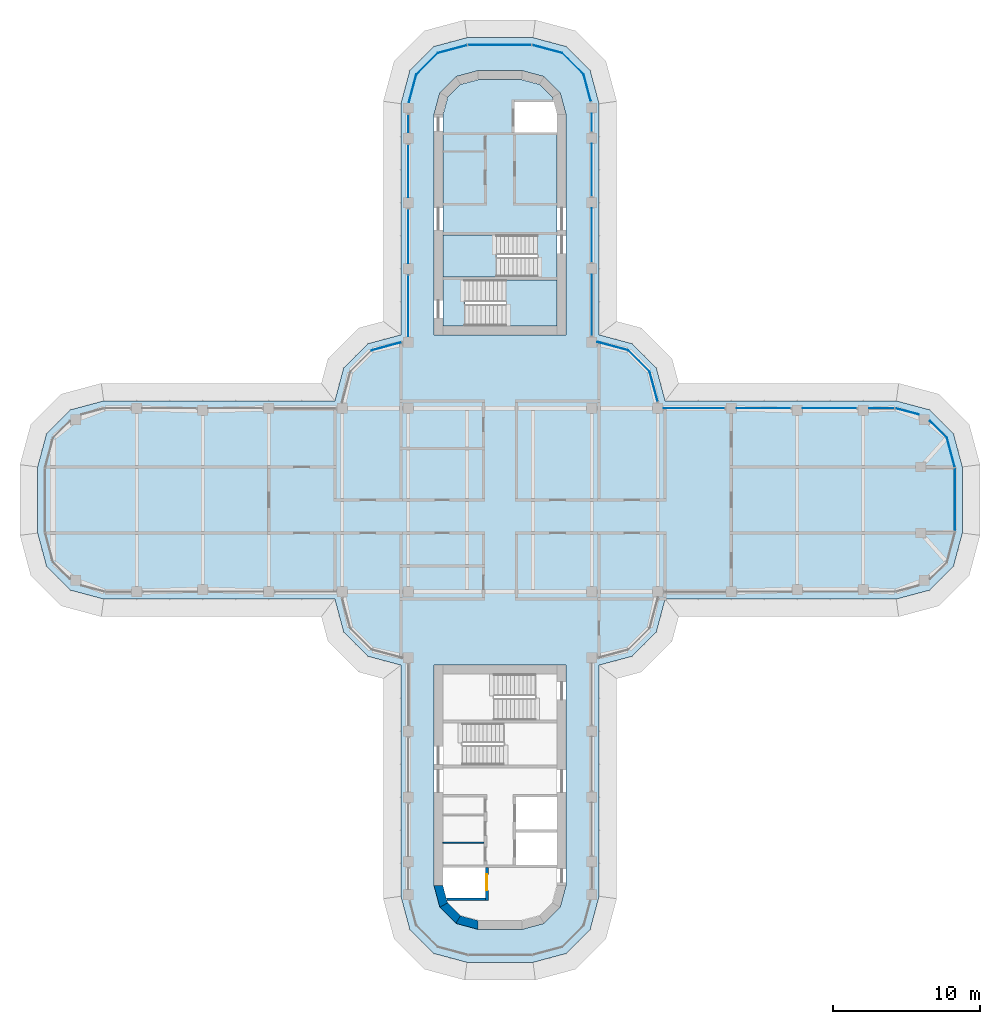
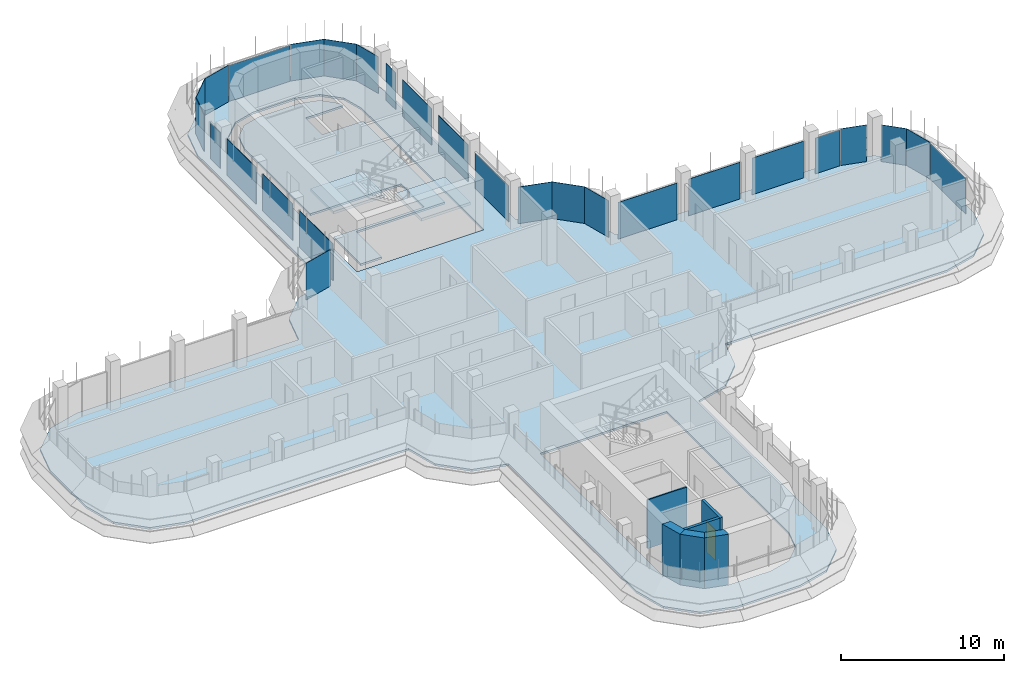
# One storey, part 12 of 19: 27 plates, 6 walls, 4 slabs, 1 door, 1 opening, 20 elements without a shape of their own.
"""IFC4 building model written with IfcOpenShell, lengths in metres."""

from ifc_helpers import new_model, si_unit, direction, frame, frame_2d, origin, place, context, subcontext, project, spatial, polyline, rectangle, outline, extrude, source, transform, mapped, material, layer, layer_set, type_object, element, fill, aggregate, save


model = new_model("IFC4")

# Units and contexts
model_context = context("Model", 3, precision=1e-05, world=origin(), true_north=direction((0.0, 1.0)))
body_context = subcontext(model_context, "Body", "Model", "MODEL_VIEW")
ifc_project = project(units=[si_unit("LENGTHUNIT", "METRE"), si_unit("AREAUNIT", "SQUARE_METRE"), si_unit("VOLUMEUNIT", "CUBIC_METRE"), si_unit("PLANEANGLEUNIT", "RADIAN"), si_unit("MASSUNIT", "GRAM", prefix="KILO")], contexts=[model_context])

# Site, building, storey
site_placement = place(None, origin())
site = spatial("IfcSite", under=ifc_project, at=site_placement, CompositionType="ELEMENT")
building_placement = place(site_placement, origin())
building = spatial("IfcBuilding", under=site, at=building_placement, Name="Zarbagh Exchange Tower", CompositionType="ELEMENT")
storey_placement = place(building_placement, frame((0.0, 0.0, 195.39990234375)))
storey = spatial("IfcBuildingStorey", under=building, at=storey_placement, Name="L47", CompositionType="ELEMENT", Elevation=195.39990234375)

# Slabs
ifc_material_1 = material(Name="Concrete C40/50", Category="concrete")
ifc_layer_1 = layer(ifc_material_1, 0.14990234375)
ifc_layer_set_1 = layer_set([ifc_layer_1], Name="Composite floor slab 150 C40/50")
slab_type_1 = type_object("IfcSlabType", Name="Composite floor slab 150 C40/50", PredefinedType="FLOOR", material=ifc_layer_set_1)
slab_1_placement = place(storey_placement, frame((0.0, 0.0, -0.14990234375)))
element("IfcSlab", 1, at=slab_1_placement, inside=storey, type_object=slab_type_1, Name="S5 composite floor slab", PredefinedType="FLOOR", context=body_context, shape_type="SweptSolid", body=[
    extrude(outline(polyline([(-2.25, -31.5), (-4.5, -30.897216796875), (-6.147216796875, -29.25), (-6.75, -27.0), (-6.75, -11.25), (-9.0, -10.647216796875), (-10.647216796875, -9.0), (-11.25, -6.75), (-27.0, -6.75), (-29.25, -6.147216796875), (-30.897216796875, -4.5), (-31.5, -2.25), (-31.5, 2.25), (-30.897216796875, 4.5), (-29.25, 6.147216796875), (-27.0, 6.75), (-11.25, 6.75), (-10.647216796875, 9.0), (-9.0, 10.647216796875), (-6.75, 11.25), (-6.75, 27.0), (-6.147216796875, 29.25), (-4.5, 30.897216796875), (-2.25, 31.5), (2.25, 31.5), (4.5, 30.897216796875), (6.147216796875, 29.25), (6.75, 27.0), (6.75, 11.25), (9.0, 10.647216796875), (10.647216796875, 9.0), (11.25, 6.75), (27.0, 6.75), (29.25, 6.147216796875), (30.897216796875, 4.5), (31.5, 2.25), (31.5, -2.25), (30.897216796875, -4.5), (29.25, -6.147216796875), (27.0, -6.75), (11.25, -6.75), (10.647216796875, -9.0), (9.0, -10.647216796875), (6.75, -11.25), (6.75, -27.0), (6.147216796875, -29.25), (4.5, -30.897216796875), (2.25, -31.5), (-2.25, -31.5)]), holes=[polyline([(4.5, 11.25), (4.5, 26.25), (4.09814453125, 27.75), (3.0, 28.84814453125), (1.5, 29.25), (-1.5, 29.25), (-3.0, 28.84814453125), (-4.09814453125, 27.75), (-4.5, 26.25), (-4.5, 11.25), (4.5, 11.25)]), polyline([(-1.5, -29.25), (1.5, -29.25), (3.0, -28.84814453125), (4.09814453125, -27.75), (4.5, -26.25), (4.5, -11.25), (-4.5, -11.25), (-4.5, -26.25), (-4.09814453125, -27.75), (-3.0, -28.84814453125), (-1.5, -29.25)])]), origin(), (0.0, 0.0, 1.0), 0.14990234375),
])
ifc_layer_2 = layer(ifc_material_1, 0.14990234375)
ifc_layer_set_2 = layer_set([ifc_layer_2], Name="Core floor slab 150 C40/50")
slab_type_2 = type_object("IfcSlabType", Name="Core floor slab 150 C40/50", PredefinedType="FLOOR", material=ifc_layer_set_2)
slab_2_placement = place(storey_placement, frame((0.0, 0.0, -0.14990234375)))
element("IfcSlab", 2, at=slab_2_placement, inside=storey, type_object=slab_type_2, Name="S17 core N", PredefinedType="FLOOR", context=body_context, shape_type="SweptSolid", body=[
    extrude(outline(polyline([(-3.89990234375, 11.85009765625), (-3.89990234375, 15.199951171875), (2.550048828125, 15.199951171875), (2.550048828125, 18.050048828125), (-3.89990234375, 18.050048828125), (-3.89990234375, 26.1708984375), (-3.56005859375, 27.439453125), (-2.689453125, 28.31005859375), (-1.4208984375, 28.64990234375), (1.4208984375, 28.64990234375), (2.689453125, 28.31005859375), (3.56005859375, 27.439453125), (3.651123046875, 27.10009765625), (1.0, 27.10009765625), (1.0, 25.050048828125), (3.89990234375, 25.050048828125), (3.89990234375, 15.0), (-2.39990234375, 15.0), (-2.39990234375, 11.85009765625), (-3.89990234375, 11.85009765625)])), origin(), (0.0, 0.0, 1.0), 0.14990234375),
])

# Stair, slab
stair_type = type_object("IfcStairType", Name="Exit stair two-flight half-turn", PredefinedType="HALF_TURN_STAIR", material=ifc_material_1)
stair_1_placement = place(storey_placement, origin())
stair_1 = element("IfcStair", 3, at=stair_1_placement, inside=storey, type_object=stair_type, Name="exit stair ST1", PredefinedType="HALF_TURN_STAIR")
ifc_layer_3 = layer(ifc_material_1, 0.199951171875)
ifc_layer_set_3 = layer_set([ifc_layer_3], Name="Stair landing 200 mm")
slab_type_3 = type_object("IfcSlabType", Name="Stair landing 200 mm", PredefinedType="LANDING", material=ifc_layer_set_3)
slab_3_placement = place(storey_placement, frame((0.0, 0.0, 1.7001953125)))
slab_3 = element("IfcSlab", 4, at=slab_3_placement, type_object=slab_type_3, Name="ST1 landing 1", PredefinedType="LANDING", context=body_context, shape_type="SweptSolid", body=[
    extrude(outline(polyline([(-0.25, 18.050048828125), (-3.89990234375, 18.050048828125), (-3.89990234375, 15.199951171875), (-0.25, 15.199951171875), (-0.25, 18.050048828125)])), origin(), (0.0, 0.0, 1.0), 0.199951171875),
])
aggregate(stair_1, [slab_3])

stair_2_placement = place(storey_placement, origin())
stair_2 = element("IfcStair", 5, at=stair_2_placement, inside=storey, type_object=stair_type, Name="exit stair ST2", PredefinedType="HALF_TURN_STAIR")
slab_4_placement = place(storey_placement, frame((0.0, 0.0, 1.7001953125)))
slab_4 = element("IfcSlab", 6, at=slab_4_placement, type_object=slab_type_3, Name="ST2 landing 1", PredefinedType="LANDING", context=body_context, shape_type="SweptSolid", body=[
    extrude(outline(polyline([(0.39990234375, 11.85009765625), (3.89990234375, 11.85009765625), (3.89990234375, 15.0), (0.39990234375, 15.0), (0.39990234375, 11.85009765625)])), origin(), (0.0, 0.0, 1.0), 0.199951171875),
])
aggregate(stair_2, [slab_4])

# Curtain wall, plate
ifc_material_2 = material(Name="Anodised aluminium frame and glazing", Category="aluminium")
curtain_wall_type = type_object("IfcCurtainWallType", Name="CWB Ribbon glazing, upper zones", PredefinedType="NOTDEFINED", material=ifc_material_2)
curtain_wall_1_placement = place(storey_placement, origin())
curtain_wall_1 = element("IfcCurtainWall", 7, at=curtain_wall_1_placement, inside=storey, type_object=curtain_wall_type, Name="CWB18 curtain wall", PredefinedType="NOTDEFINED")
ifc_material_3 = material(Name="Low-e double glazed unit, 6+12+6 mm")
ifc_layer_4 = layer(ifc_material_3, 0.031982421875)
ifc_layer_set_4 = layer_set([ifc_layer_4], Name="PAB Glazing panel, Low-e double glazed unit, 6+12+6 mm")
plate_type = type_object("IfcPlateType", Name="PAB Glazing panel, Low-e double glazed unit, 6+12+6 mm", PredefinedType="CURTAIN_PANEL", material=ifc_layer_set_4)
shared_shape_1 = source(origin(), body_context, "Body", "SweptSolid", [
    extrude(outline(polyline([(0.0, -0.01611328125), (2.061279296875, -0.01611328125), (2.061279296875, 0.01611328125), (0.0, 0.01611328125), (0.0, -0.01611328125)])), origin(), (0.0, 0.0, 1.0), 2.75),
])
placement = place(storey_placement, origin())
plate_1 = element("IfcPlate", 8, at=placement, type_object=plate_type, Name="CWB18 glazing panel 1.1", PredefinedType="CURTAIN_PANEL", context=body_context, shape_type="MappedRepresentation", body=[
    mapped(shared_shape_1, transform((10.19873046875, 8.7412109375, 0.0), x_axis=(-0.707106781187, 0.707106781187, 0.0), y_axis=(-0.707106781187, -0.707106781187, 0.0), z_axis=(0.0, 0.0, 1.0))),
])
aggregate(curtain_wall_1, [plate_1])

curtain_wall_2_placement = place(storey_placement, origin())
curtain_wall_2 = element("IfcCurtainWall", 9, at=curtain_wall_2_placement, inside=storey, type_object=curtain_wall_type, Name="CWB22 curtain wall", PredefinedType="NOTDEFINED")
plate_2 = element("IfcPlate", 10, at=placement, type_object=plate_type, Name="CWB22 glazing panel 1.1", PredefinedType="CURTAIN_PANEL", context=body_context, shape_type="MappedRepresentation", body=[
    mapped(shared_shape_1, transform((5.69873046875, 28.9912109375, 0.0), x_axis=(-0.707106781187, 0.707106781187, 0.0), y_axis=(-0.707106781187, -0.707106781187, 0.0), z_axis=(0.0, 0.0, 1.0))),
])
aggregate(curtain_wall_2, [plate_2])

curtain_wall_3_placement = place(storey_placement, origin())
curtain_wall_3 = element("IfcCurtainWall", 11, at=curtain_wall_3_placement, inside=storey, type_object=curtain_wall_type, Name="CWB26 curtain wall", PredefinedType="NOTDEFINED")
plate_3 = element("IfcPlate", 12, at=placement, type_object=plate_type, Name="CWB26 glazing panel 1.1", PredefinedType="CURTAIN_PANEL", context=body_context, shape_type="MappedRepresentation", body=[
    mapped(shared_shape_1, transform((-4.2412109375, 30.44873046875, 0.0), x_axis=(-0.707106781187, -0.707106781187, 0.0), y_axis=(0.707106781187, -0.707106781187, 0.0), z_axis=(0.0, 0.0, 1.0))),
])
aggregate(curtain_wall_3, [plate_3])

curtain_wall_4_placement = place(storey_placement, origin())
curtain_wall_4 = element("IfcCurtainWall", 13, at=curtain_wall_4_placement, inside=storey, type_object=curtain_wall_type, Name="CWB23 curtain wall", PredefinedType="NOTDEFINED")
shared_shape_2 = source(origin(), body_context, "Body", "SweptSolid", [
    extrude(outline(polyline([(0.0, -0.01611328125), (2.129638671875, -0.01611328125), (2.129638671875, 0.01611328125), (0.0, 0.01611328125), (0.0, -0.01611328125)])), origin(), (0.0, 0.0, 1.0), 2.75),
])
plate_4 = element("IfcPlate", 14, at=placement, type_object=plate_type, Name="CWB23 glazing panel 1.1", PredefinedType="CURTAIN_PANEL", context=body_context, shape_type="MappedRepresentation", body=[
    mapped(shared_shape_2, transform((4.2412109375, 30.44873046875, 0.0), x_axis=(-0.965924289636, 0.258824779902, 0.0), y_axis=(-0.258824779902, -0.965924289636, 0.0), z_axis=(0.0, 0.0, 1.0))),
])
aggregate(curtain_wall_4, [plate_4])

curtain_wall_5_placement = place(storey_placement, origin())
curtain_wall_5 = element("IfcCurtainWall", 15, at=curtain_wall_5_placement, inside=storey, type_object=curtain_wall_type, Name="CWB20 curtain wall", PredefinedType="NOTDEFINED")
shared_shape_3 = source(origin(), body_context, "Body", "SweptSolid", [
    extrude(outline(polyline([(0.0, -0.01611328125), (3.56005859375, -0.01611328125), (3.56005859375, 0.01611328125), (0.0, 0.01611328125), (0.0, -0.01611328125)])), origin(), (0.0, 0.0, 1.0), 2.75),
])
plate_5 = element("IfcPlate", 16, at=placement, type_object=plate_type, Name="CWB20 glazing panel 3.1", PredefinedType="CURTAIN_PANEL", context=body_context, shape_type="MappedRepresentation", body=[
    mapped(shared_shape_3, transform((6.25, 20.699951171875, 0.0), x_axis=(0.0, 1.0, 0.0), y_axis=(-1.0, 0.0, 0.0), z_axis=(0.0, 0.0, 1.0))),
])

curtain_wall_6_placement = place(storey_placement, origin())
curtain_wall_6 = element("IfcCurtainWall", 17, at=curtain_wall_6_placement, inside=storey, type_object=curtain_wall_type, Name="CWB28 curtain wall", PredefinedType="NOTDEFINED")
plate_6 = element("IfcPlate", 18, at=placement, type_object=plate_type, Name="CWB28 glazing panel 2.1", PredefinedType="CURTAIN_PANEL", context=body_context, shape_type="MappedRepresentation", body=[
    mapped(shared_shape_3, transform((-6.25, 24.199951171875, 0.0), x_axis=(0.0, -1.0, 0.0), y_axis=(1.0, 0.0, 0.0), z_axis=(0.0, 0.0, 1.0))),
])

curtain_wall_7_placement = place(storey_placement, origin())
curtain_wall_7 = element("IfcCurtainWall", 19, at=curtain_wall_7_placement, inside=storey, type_object=curtain_wall_type, Name="CWB12 curtain wall", PredefinedType="NOTDEFINED")
shared_shape_4 = source(origin(), body_context, "Body", "SweptSolid", [
    extrude(outline(polyline([(0.0, -0.01611328125), (4.308349609375, -0.01611328125), (4.308349609375, 0.01611328125), (0.0, 0.01611328125), (0.0, -0.01611328125)])), origin(), (0.0, 0.0, 1.0), 2.68994140625),
])
plate_7 = element("IfcPlate", 20, at=placement, type_object=plate_type, Name="CWB12 glazing panel 1.1", PredefinedType="CURTAIN_PANEL", context=body_context, shape_type="MappedRepresentation", body=[
    mapped(shared_shape_4, transform((31.0, -2.124267578125, 0.0), x_axis=(0.0, 1.0, 0.0), y_axis=(-1.0, 0.0, 0.0), z_axis=(0.0, 0.0, 1.0))),
])
aggregate(curtain_wall_7, [plate_7])

curtain_wall_8_placement = place(storey_placement, origin())
curtain_wall_8 = element("IfcCurtainWall", 21, at=curtain_wall_8_placement, inside=storey, type_object=curtain_wall_type, Name="CWB24 curtain wall", PredefinedType="NOTDEFINED")
plate_8 = element("IfcPlate", 22, at=placement, type_object=plate_type, Name="CWB24 glazing panel 1.1", PredefinedType="CURTAIN_PANEL", context=body_context, shape_type="MappedRepresentation", body=[
    mapped(shared_shape_4, transform((2.124267578125, 31.0, 0.0), x_axis=(-1.0, 0.0, 0.0), y_axis=(0.0, -1.0, 0.0), z_axis=(0.0, 0.0, 1.0))),
])
aggregate(curtain_wall_8, [plate_8])

curtain_wall_9_placement = place(storey_placement, origin())
curtain_wall_9 = element("IfcCurtainWall", 23, at=curtain_wall_9_placement, inside=storey, type_object=curtain_wall_type, Name="CWB13 curtain wall", PredefinedType="NOTDEFINED")
shared_shape_5 = source(origin(), body_context, "Body", "SweptSolid", [
    extrude(outline(polyline([(0.0, -0.01611328125), (2.069580078125, -0.01611328125), (2.069580078125, 0.01611328125), (0.0, 0.01611328125), (0.0, -0.01611328125)])), origin(), (0.0, 0.0, 1.0), 2.75),
])
plate_9 = element("IfcPlate", 24, at=placement, type_object=plate_type, Name="CWB13 glazing panel 1.1", PredefinedType="CURTAIN_PANEL", context=body_context, shape_type="MappedRepresentation", body=[
    mapped(shared_shape_5, transform((30.984375, 2.2421875, 0.0), x_axis=(-0.258824779902, 0.965924289636, 0.0), y_axis=(-0.965924289636, -0.258824779902, 0.0), z_axis=(0.0, 0.0, 1.0))),
])
aggregate(curtain_wall_9, [plate_9])

curtain_wall_10_placement = place(storey_placement, origin())
curtain_wall_10 = element("IfcCurtainWall", 25, at=curtain_wall_10_placement, inside=storey, type_object=curtain_wall_type, Name="CWB25 curtain wall", PredefinedType="NOTDEFINED")
plate_10 = element("IfcPlate", 26, at=placement, type_object=plate_type, Name="CWB25 glazing panel 1.1", PredefinedType="CURTAIN_PANEL", context=body_context, shape_type="MappedRepresentation", body=[
    mapped(shared_shape_5, transform((-2.2421875, 30.984375, 0.0), x_axis=(-0.965924289636, -0.258824779902, 0.0), y_axis=(0.258824779902, -0.965924289636, 0.0), z_axis=(0.0, 0.0, 1.0))),
])
aggregate(curtain_wall_10, [plate_10])

# Curtain wall, plates
curtain_wall_11_placement = place(storey_placement, origin())
curtain_wall_11 = element("IfcCurtainWall", 27, at=curtain_wall_11_placement, inside=storey, type_object=curtain_wall_type, Name="CWB16 curtain wall", PredefinedType="NOTDEFINED")
shared_shape_6 = source(origin(), body_context, "Body", "SweptSolid", [
    extrude(outline(polyline([(0.0, -0.01611328125), (3.659912109375, -0.01611328125), (3.659912109375, 0.01611328125), (0.0, 0.01611328125), (0.0, -0.01611328125)])), origin(), (0.0, 0.0, 1.0), 2.75),
])
plate_11 = element("IfcPlate", 28, at=placement, type_object=plate_type, Name="CWB16 glazing panel 2.1", PredefinedType="CURTAIN_PANEL", context=body_context, shape_type="MappedRepresentation", body=[
    mapped(shared_shape_6, transform((24.300048828125, 6.25, 0.0), x_axis=(-1.0, 0.0, 0.0), y_axis=(0.0, -1.0, 0.0), z_axis=(0.0, 0.0, 1.0))),
])
plate_12 = element("IfcPlate", 29, at=placement, type_object=plate_type, Name="CWB16 glazing panel 3.1", PredefinedType="CURTAIN_PANEL", context=body_context, shape_type="MappedRepresentation", body=[
    mapped(shared_shape_6, transform((19.800048828125, 6.25, 0.0), x_axis=(-1.0, 0.0, 0.0), y_axis=(0.0, -1.0, 0.0), z_axis=(0.0, 0.0, 1.0))),
])

# Plate
plate_13 = element("IfcPlate", 30, at=placement, type_object=plate_type, Name="CWB20 glazing panel 2.1", PredefinedType="CURTAIN_PANEL", context=body_context, shape_type="MappedRepresentation", body=[
    mapped(shared_shape_6, transform((6.25, 16.199951171875, 0.0), x_axis=(0.0, 1.0, 0.0), y_axis=(-1.0, 0.0, 0.0), z_axis=(0.0, 0.0, 1.0))),
])

plate_14 = element("IfcPlate", 31, at=placement, type_object=plate_type, Name="CWB28 glazing panel 3.1", PredefinedType="CURTAIN_PANEL", context=body_context, shape_type="MappedRepresentation", body=[
    mapped(shared_shape_6, transform((-6.25, 19.800048828125, 0.0), x_axis=(0.0, -1.0, 0.0), y_axis=(1.0, 0.0, 0.0), z_axis=(0.0, 0.0, 1.0))),
])

shared_shape_7 = source(origin(), body_context, "Body", "SweptSolid", [
    extrude(outline(polyline([(0.0, -0.01611328125), (4.159912109375, -0.01611328125), (4.159912109375, 0.01611328125), (0.0, 0.01611328125), (0.0, -0.01611328125)])), origin(), (0.0, 0.0, 1.0), 2.75),
])
plate_15 = element("IfcPlate", 32, at=placement, type_object=plate_type, Name="CWB16 glazing panel 4.1", PredefinedType="CURTAIN_PANEL", context=body_context, shape_type="MappedRepresentation", body=[
    mapped(shared_shape_7, transform((15.300048828125, 6.25, 0.0), x_axis=(-1.0, 0.0, 0.0), y_axis=(0.0, -1.0, 0.0), z_axis=(0.0, 0.0, 1.0))),
])

plate_16 = element("IfcPlate", 33, at=placement, type_object=plate_type, Name="CWB28 glazing panel 4.1", PredefinedType="CURTAIN_PANEL", context=body_context, shape_type="MappedRepresentation", body=[
    mapped(shared_shape_7, transform((-6.25, 15.300048828125, 0.0), x_axis=(0.0, -1.0, 0.0), y_axis=(1.0, 0.0, 0.0), z_axis=(0.0, 0.0, 1.0))),
])

# Curtain wall, plate
curtain_wall_12_placement = place(storey_placement, origin())
curtain_wall_12 = element("IfcCurtainWall", 34, at=curtain_wall_12_placement, inside=storey, type_object=curtain_wall_type, Name="CWB17 curtain wall", PredefinedType="NOTDEFINED")
shared_shape_8 = source(origin(), body_context, "Body", "SweptSolid", [
    extrude(outline(polyline([(0.0, -0.01611328125), (2.115234375, -0.01611328125), (2.115234375, 0.01611328125), (0.0, 0.01611328125), (0.0, -0.01611328125)])), origin(), (0.0, 0.0, 1.0), 2.75),
])
plate_17 = element("IfcPlate", 35, at=placement, type_object=plate_type, Name="CWB17 glazing panel 1.1", PredefinedType="CURTAIN_PANEL", context=body_context, shape_type="MappedRepresentation", body=[
    mapped(shared_shape_8, transform((10.746337890625, 6.697998046875, 0.0), x_axis=(-0.258824779902, 0.965924289636, 0.0), y_axis=(-0.965924289636, -0.258824779902, 0.0), z_axis=(0.0, 0.0, 1.0))),
])
aggregate(curtain_wall_12, [plate_17])

curtain_wall_13_placement = place(storey_placement, origin())
curtain_wall_13 = element("IfcCurtainWall", 36, at=curtain_wall_13_placement, inside=storey, type_object=curtain_wall_type, Name="CWB29 curtain wall", PredefinedType="NOTDEFINED")
plate_18 = element("IfcPlate", 37, at=placement, type_object=plate_type, Name="CWB29 glazing panel 1.1", PredefinedType="CURTAIN_PANEL", context=body_context, shape_type="MappedRepresentation", body=[
    mapped(shared_shape_8, transform((-6.697998046875, 10.746337890625, 0.0), x_axis=(-0.965924289636, -0.258824779902, 0.0), y_axis=(0.258824779902, -0.965924289636, 0.0), z_axis=(0.0, 0.0, 1.0))),
])
aggregate(curtain_wall_13, [plate_18])

curtain_wall_14_placement = place(storey_placement, origin())
curtain_wall_14 = element("IfcCurtainWall", 38, at=curtain_wall_14_placement, inside=storey, type_object=curtain_wall_type, Name="CWB19 curtain wall", PredefinedType="NOTDEFINED")
shared_shape_9 = source(origin(), body_context, "Body", "SweptSolid", [
    extrude(outline(polyline([(0.0, -0.01611328125), (2.17529296875, -0.01611328125), (2.17529296875, 0.01611328125), (0.0, 0.01611328125), (0.0, -0.01611328125)])), origin(), (0.0, 0.0, 1.0), 2.75),
])
plate_19 = element("IfcPlate", 39, at=placement, type_object=plate_type, Name="CWB19 glazing panel 1.1", PredefinedType="CURTAIN_PANEL", context=body_context, shape_type="MappedRepresentation", body=[
    mapped(shared_shape_9, transform((8.7412109375, 10.19873046875, 0.0), x_axis=(-0.965924289636, 0.258824779902, 0.0), y_axis=(-0.258824779902, -0.965924289636, 0.0), z_axis=(0.0, 0.0, 1.0))),
])
aggregate(curtain_wall_14, [plate_19])

# Plate
shared_shape_10 = source(origin(), body_context, "Body", "SweptSolid", [
    extrude(outline(polyline([(0.0, -0.01611328125), (4.159912109375, -0.01611328125), (4.159912109375, 0.01611328125), (0.0, 0.01611328125), (0.0, -0.01611328125)])), origin(), (0.0, 0.0, 1.0), 2.68994140625),
])
plate_20 = element("IfcPlate", 40, at=placement, type_object=plate_type, Name="CWB20 glazing panel 1.1", PredefinedType="CURTAIN_PANEL", context=body_context, shape_type="MappedRepresentation", body=[
    mapped(shared_shape_10, transform((6.25, 11.199951171875, 0.0), x_axis=(0.0, 1.0, 0.0), y_axis=(-1.0, 0.0, 0.0), z_axis=(0.0, 0.0, 1.0))),
])

# Curtain wall, plate
curtain_wall_15_placement = place(storey_placement, origin())
curtain_wall_15 = element("IfcCurtainWall", 41, at=curtain_wall_15_placement, inside=storey, type_object=curtain_wall_type, Name="CWB14 curtain wall", PredefinedType="NOTDEFINED")
shared_shape_11 = source(origin(), body_context, "Body", "SweptSolid", [
    extrude(outline(polyline([(0.0, -0.01611328125), (1.62744140625, -0.01611328125), (1.62744140625, 0.01611328125), (0.0, 0.01611328125), (0.0, -0.01611328125)])), origin(), (0.0, 0.0, 1.0), 2.75),
])
plate_21 = element("IfcPlate", 42, at=placement, type_object=plate_type, Name="CWB14 glazing panel 1.1", PredefinedType="CURTAIN_PANEL", context=body_context, shape_type="MappedRepresentation", body=[
    mapped(shared_shape_11, transform((30.44873046875, 4.2412109375, 0.0), x_axis=(-0.707106781187, 0.707106781187, 0.0), y_axis=(-0.707106781187, -0.707106781187, 0.0), z_axis=(0.0, 0.0, 1.0))),
])
aggregate(curtain_wall_15, [plate_21])

curtain_wall_16_placement = place(storey_placement, origin())
curtain_wall_16 = element("IfcCurtainWall", 43, at=curtain_wall_16_placement, inside=storey, type_object=curtain_wall_type, Name="CWB15 curtain wall", PredefinedType="NOTDEFINED")
shared_shape_12 = source(origin(), body_context, "Body", "SweptSolid", [
    extrude(outline(polyline([(0.0, -0.01611328125), (1.6396484375, -0.01611328125), (1.6396484375, 0.01611328125), (0.0, 0.01611328125), (0.0, -0.01611328125)])), origin(), (0.0, 0.0, 1.0), 2.75),
])
plate_22 = element("IfcPlate", 44, at=placement, type_object=plate_type, Name="CWB15 glazing panel 1.1", PredefinedType="CURTAIN_PANEL", context=body_context, shape_type="MappedRepresentation", body=[
    mapped(shared_shape_12, transform((28.51806640625, 5.82568359375, 0.0), x_axis=(-0.965924289636, 0.258824779902, 0.0), y_axis=(-0.258824779902, -0.965924289636, 0.0), z_axis=(0.0, 0.0, 1.0))),
])
aggregate(curtain_wall_16, [plate_22])

# Plate
shared_shape_13 = source(origin(), body_context, "Body", "SweptSolid", [
    extrude(outline(polyline([(0.0, -0.01611328125), (1.734130859375, -0.01611328125), (1.734130859375, 0.01611328125), (0.0, 0.01611328125), (0.0, -0.01611328125)])), origin(), (0.0, 0.0, 1.0), 2.68994140625),
])
plate_23 = element("IfcPlate", 45, at=placement, type_object=plate_type, Name="CWB16 glazing panel 1.1", PredefinedType="CURTAIN_PANEL", context=body_context, shape_type="MappedRepresentation", body=[
    mapped(shared_shape_13, transform((26.874267578125, 6.25, 0.0), x_axis=(-1.0, 0.0, 0.0), y_axis=(0.0, -1.0, 0.0), z_axis=(0.0, 0.0, 1.0))),
])

aggregate(curtain_wall_11, [plate_23, plate_11, plate_12, plate_15])

shared_shape_14 = source(origin(), body_context, "Body", "SweptSolid", [
    extrude(outline(polyline([(0.0, -0.01611328125), (1.2099609375, -0.01611328125), (1.2099609375, 0.01611328125), (0.0, 0.01611328125), (0.0, -0.01611328125)])), origin(), (0.0, 0.0, 1.0), 2.75),
])
plate_24 = element("IfcPlate", 46, at=placement, type_object=plate_type, Name="CWB20 glazing panel 4.1", PredefinedType="CURTAIN_PANEL", context=body_context, shape_type="MappedRepresentation", body=[
    mapped(shared_shape_14, transform((6.25, 25.10009765625, 0.0), x_axis=(0.0, 1.0, 0.0), y_axis=(-1.0, 0.0, 0.0), z_axis=(0.0, 0.0, 1.0))),
])

aggregate(curtain_wall_5, [plate_20, plate_13, plate_5, plate_24])

# Curtain wall, plate
curtain_wall_17_placement = place(storey_placement, origin())
curtain_wall_17 = element("IfcCurtainWall", 47, at=curtain_wall_17_placement, inside=storey, type_object=curtain_wall_type, Name="CWB21 curtain wall", PredefinedType="NOTDEFINED")
shared_shape_15 = source(origin(), body_context, "Body", "SweptSolid", [
    extrude(outline(polyline([(0.0, -0.01611328125), (1.908203125, -0.01611328125), (1.908203125, 0.01611328125), (0.0, 0.01611328125), (0.0, -0.01611328125)])), origin(), (0.0, 0.0, 1.0), 2.75),
])
plate_25 = element("IfcPlate", 48, at=placement, type_object=plate_type, Name="CWB21 glazing panel 1.1", PredefinedType="CURTAIN_PANEL", context=body_context, shape_type="MappedRepresentation", body=[
    mapped(shared_shape_15, transform((6.192626953125, 27.14794921875, 0.0), x_axis=(-0.258824779902, 0.965924289636, 0.0), y_axis=(-0.965924289636, -0.258824779902, 0.0), z_axis=(0.0, 0.0, 1.0))),
])
aggregate(curtain_wall_17, [plate_25])

curtain_wall_18_placement = place(storey_placement, origin())
curtain_wall_18 = element("IfcCurtainWall", 49, at=curtain_wall_18_placement, inside=storey, type_object=curtain_wall_type, Name="CWB27 curtain wall", PredefinedType="NOTDEFINED")
shared_shape_16 = source(origin(), body_context, "Body", "SweptSolid", [
    extrude(outline(polyline([(0.0, -0.01611328125), (1.96826171875, -0.01611328125), (1.96826171875, 0.01611328125), (0.0, 0.01611328125), (0.0, -0.01611328125)])), origin(), (0.0, 0.0, 1.0), 2.75),
])
plate_26 = element("IfcPlate", 50, at=placement, type_object=plate_type, Name="CWB27 glazing panel 1.1", PredefinedType="CURTAIN_PANEL", context=body_context, shape_type="MappedRepresentation", body=[
    mapped(shared_shape_16, transform((-5.69873046875, 28.9912109375, 0.0), x_axis=(-0.258824779902, -0.965924289636, 0.0), y_axis=(0.965924289636, -0.258824779902, 0.0), z_axis=(0.0, 0.0, 1.0))),
])
aggregate(curtain_wall_18, [plate_26])

# Plate
shared_shape_17 = source(origin(), body_context, "Body", "SweptSolid", [
    extrude(outline(polyline([(0.0, -0.01611328125), (1.2099609375, -0.01611328125), (1.2099609375, 0.01611328125), (0.0, 0.01611328125), (0.0, -0.01611328125)])), origin(), (0.0, 0.0, 1.0), 2.68994140625),
])
plate_27 = element("IfcPlate", 51, at=placement, type_object=plate_type, Name="CWB28 glazing panel 1.1", PredefinedType="CURTAIN_PANEL", context=body_context, shape_type="MappedRepresentation", body=[
    mapped(shared_shape_17, transform((-6.25, 26.25, 0.0), x_axis=(0.0, -1.0, 0.0), y_axis=(1.0, 0.0, 0.0), z_axis=(0.0, 0.0, 1.0))),
])

aggregate(curtain_wall_6, [plate_27, plate_6, plate_14, plate_16])

# Walls
ifc_material_4 = material(Name="Dense blockwork", Category="masonry")
ifc_layer_5 = layer(ifc_material_4, 0.10009765625)
ifc_layer_set_5 = layer_set([ifc_layer_5], Name="Core partition 100 mm blockwork")
wall_type_1 = type_object("IfcWallType", Name="Core partition 100 mm blockwork", PredefinedType="PARTITIONING", material=ifc_layer_set_5)
wall_1_placement = place(storey_placement, frame((-1.10009765625, -23.35009765625, 0.0), z_axis=(0.0, 0.0, 1.0), x_axis=(-1.0, 0.0, 0.0)))
element("IfcWall", 52, at=wall_1_placement, inside=storey, type_object=wall_type_1, Name="South core partition wall CUT-E-500", PredefinedType="PARTITIONING", context=body_context, shape_type="SweptSolid", body=[
    extrude(rectangle(XDim=2.7998046875, YDim=0.10009765625, at=frame_2d((1.39990234375, 0.0))), origin(), (0.0, 0.0, 1.0), 3.650146484375),
])
ifc_material_5 = material(Name="Concrete C50/60", Category="concrete")
ifc_layer_6 = layer(ifc_material_5, 0.60009765625)
ifc_layer_set_6 = layer_set([ifc_layer_6], Name="RC core corner wall 600 C50/60")
wall_type_2 = type_object("IfcWallType", Name="RC core corner wall 600 C50/60", PredefinedType="SHEAR", material=ifc_layer_set_6)
wall_2_placement = place(storey_placement, origin())
element("IfcWall", 53, at=wall_2_placement, inside=storey, type_object=wall_type_2, Name="CW8 core S corner W", PredefinedType="SHEAR", context=body_context, shape_type="SweptSolid", body=[
    extrude(outline(polyline([(-4.5, -26.25), (-4.09814453125, -27.75), (-3.57861328125, -27.449951171875), (-3.89990234375, -26.25), (-4.5, -26.25)])), origin(), (0.0, 0.0, 1.0), 3.800048828125),
])
wall_3_placement = place(storey_placement, origin())
element("IfcWall", 54, at=wall_3_placement, inside=storey, type_object=wall_type_2, Name="CW8 core S corner W", PredefinedType="SHEAR", context=body_context, shape_type="SweptSolid", body=[
    extrude(outline(polyline([(-4.09814453125, -27.75), (-3.0, -28.84814453125), (-2.699951171875, -28.32861328125), (-3.57861328125, -27.449951171875), (-4.09814453125, -27.75)])), origin(), (0.0, 0.0, 1.0), 3.800048828125),
])
wall_4_placement = place(storey_placement, origin())
element("IfcWall", 55, at=wall_4_placement, inside=storey, type_object=wall_type_2, Name="CW8 core S corner W", PredefinedType="SHEAR", context=body_context, shape_type="SweptSolid", body=[
    extrude(outline(polyline([(-3.0, -28.84814453125), (-1.5, -29.25), (-1.5, -28.64990234375), (-2.699951171875, -28.32861328125), (-3.0, -28.84814453125)])), origin(), (0.0, 0.0, 1.0), 3.800048828125),
])

# Wall, opening, door
ifc_layer_7 = layer(ifc_material_1, 0.199951171875)
ifc_layer_set_7 = layer_set([ifc_layer_7], Name="Stair enclosure wall 200 mm RC C40/50")
wall_type_3 = type_object("IfcWallType", Name="Stair enclosure wall 200 mm RC C40/50", PredefinedType="SHEAR", material=ifc_layer_set_7)
wall_5_placement = place(storey_placement, frame((-0.89990234375, -27.300048828125, 0.0), z_axis=(0.0, 0.0, 1.0), x_axis=(0.0, 1.0, 0.0)))
wall_5 = element("IfcWall", 56, at=wall_5_placement, inside=storey, type_object=wall_type_3, Name="South core lift shaft wall FFL", PredefinedType="SHEAR", context=body_context, shape_type="SweptSolid", body=[
    extrude(rectangle(XDim=2.25, YDim=0.199951171875, at=frame_2d((1.125, 0.0))), origin(), (0.0, 0.0, 1.0), 3.650146484375),
])
opening_placement = place(wall_5_placement, frame((0.699951171875, 0.0, 0.0)))
opening = element("IfcOpeningElement", 57, at=opening_placement, cuts=wall_5, Name="Opening LD-1100", PredefinedType="OPENING", context=body_context, shape_type="SweptSolid", body=[
    extrude(rectangle(XDim=1.10009765625, YDim=2.300048828125, at=frame_2d((0.550048828125, 1.14990234375))), frame((0.0, 0.10986328125, 0.0), z_axis=(0.0, -1.0, 0.0), x_axis=(1.0, 0.0, 0.0)), (0.0, 0.0, 1.0), 0.219970703125),
])
ifc_material_6 = material(Name="Stainless steel", Category="steel")
door_type = type_object("IfcDoorType", Name="Lift landing door 1100 x 2300", OperationType="NOTDEFINED", PredefinedType="DOOR", material=ifc_material_6)
door_placement = place(opening_placement, origin())
door = element("IfcDoor", 58, at=door_placement, inside=storey, type_object=door_type, Name="South core lift landing door LD-F", OperationType="DOUBLE_DOOR_SLIDING", OverallHeight=2.300048828125, OverallWidth=1.10009765625, PredefinedType="DOOR", context=body_context, shape_type="SweptSolid", body=[
    extrude(rectangle(XDim=1.10009765625, YDim=2.300048828125, at=frame_2d((0.550048828125, 1.14990234375))), frame((0.0, 0.02490234375, 0.0), z_axis=(0.0, -1.0, 0.0), x_axis=(1.0, 0.0, 0.0)), (0.0, 0.0, 1.0), 0.050048828125),
])
fill(opening, door)

# Wall
wall_6_placement = place(storey_placement, origin())
element("IfcWall", 59, at=wall_6_placement, inside=storey, type_object=wall_type_3, Name="South core lift shaft wall FFX", PredefinedType="SHEAR", context=body_context, shape_type="SweptSolid", body=[
    extrude(outline(polyline([(-1.0, -27.10009765625), (-3.651123046875, -27.10009765625), (-3.597412109375, -27.300048828125), (-1.0, -27.300048828125), (-1.0, -27.10009765625)])), origin(), (0.0, 0.0, 1.0), 3.650146484375),
])

save(model, "model.ifc")
